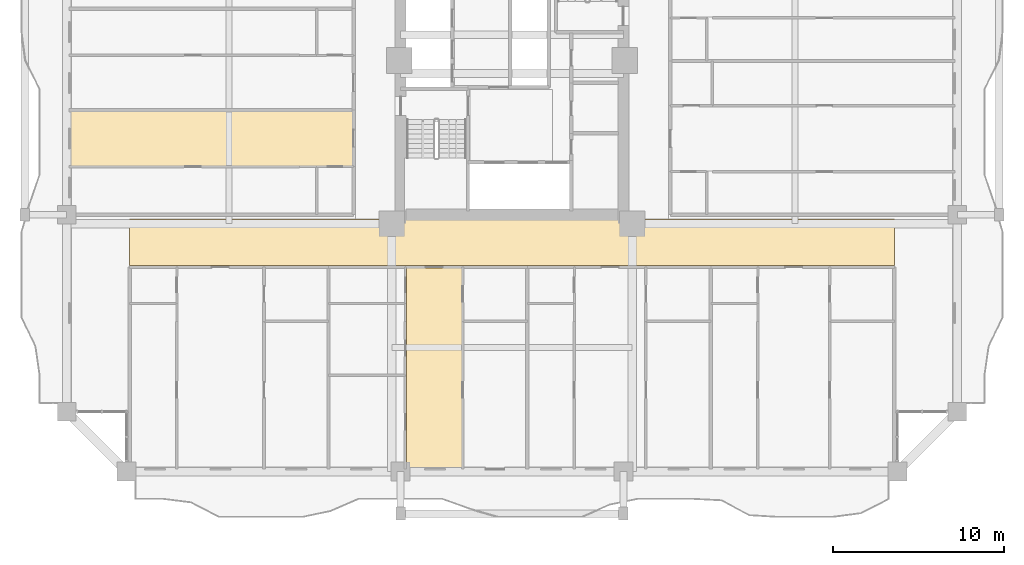
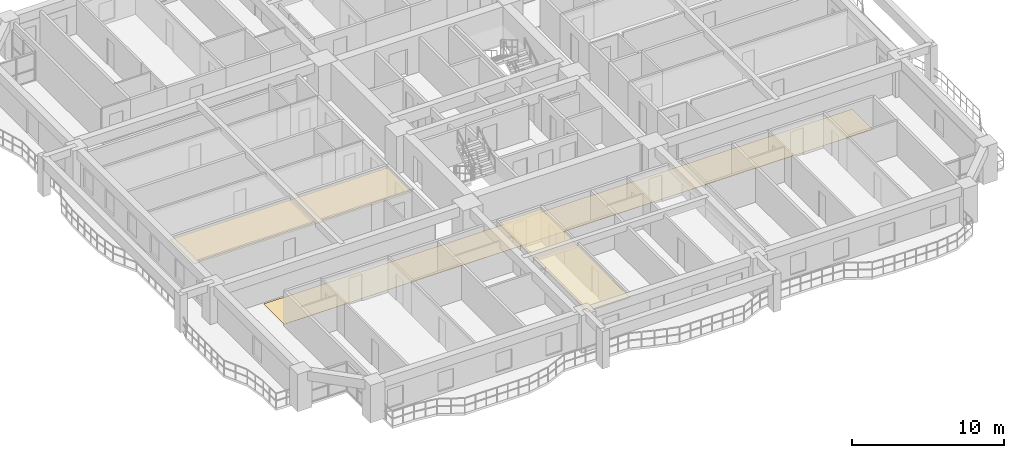
# One storey, part 23 of 27: 3 coverings.
"""IFC4 building model written with IfcOpenShell, lengths in metres."""

from ifc_helpers import new_model, si_unit, direction, frame, origin, place, context, subcontext, project, spatial, polyline, outline, extrude, material, layer, layer_set, type_object, element, save


model = new_model("IFC4")

# Units and contexts
model_context = context("Model", 3, precision=1e-05, world=origin(), true_north=direction((0.0, 1.0)))
body_context = subcontext(model_context, "Body", "Model", "MODEL_VIEW")
ifc_project = project(units=[si_unit("LENGTHUNIT", "METRE"), si_unit("AREAUNIT", "SQUARE_METRE"), si_unit("VOLUMEUNIT", "CUBIC_METRE"), si_unit("PLANEANGLEUNIT", "RADIAN"), si_unit("MASSUNIT", "GRAM", prefix="KILO")], contexts=[model_context])

# Site, building, storey
site_placement = place(None, origin())
site = spatial("IfcSite", under=ifc_project, at=site_placement, CompositionType="ELEMENT")
building_placement = place(site_placement, origin())
building = spatial("IfcBuilding", under=site, at=building_placement, Name="Saelheon Loggia Tower", CompositionType="ELEMENT")
storey_placement = place(building_placement, frame((0.0, 0.0, 34.39990234375)))
storey = spatial("IfcBuildingStorey", under=building, at=storey_placement, Name="L10", CompositionType="ELEMENT", Elevation=34.39990234375)

# Coverings
ifc_material_1 = material(Name="Mineral-Fibre Acoustic Ceiling Board", Category="gypsum")
ifc_layer_1 = layer(ifc_material_1, 0.02490234375)
ifc_layer_set_1 = layer_set([ifc_layer_1], Name="Mineral-Fibre Acoustic Ceiling Board")
covering_type_1 = type_object("IfcCoveringType", Name="Cov_Ceiling_Acoustic", PredefinedType="CEILING", material=ifc_layer_set_1)
covering_1_placement = place(storey_placement, frame((0.0, 0.0, 2.53515625)))
element("IfcCovering", 1, at=covering_1_placement, inside=storey, type_object=covering_type_1, Name="L10 Acoustic Suspended Ceiling", PredefinedType="CEILING", context=body_context, shape_type="SweptSolid", body=[
    extrude(outline(polyline([(31.830078125, 3.199951171875), (35.076904296875, 3.199951171875), (35.076904296875, 14.89990234375), (31.830078125, 14.89990234375), (31.830078125, 3.199951171875)])), origin(), (0.0, 0.0, 1.0), 0.02490234375),
])
covering_2_placement = place(storey_placement, frame((0.0, 0.0, 2.53515625)))
element("IfcCovering", 2, at=covering_2_placement, inside=storey, type_object=covering_type_1, Name="L10 Acoustic Suspended Ceiling", PredefinedType="CEILING", context=body_context, shape_type="SweptSolid", body=[
    extrude(outline(polyline([(12.199951171875, 20.857421875), (28.699951171875, 20.857421875), (28.699951171875, 24.052978515625), (12.199951171875, 24.052978515625), (12.199951171875, 20.857421875)])), origin(), (0.0, 0.0, 1.0), 0.02490234375),
])
ifc_material_2 = material(Name="Vitrified Porcelain Floor Tile", Category="ceramic")
ifc_layer_2 = layer(ifc_material_2, 0.02001953125)
ifc_layer_set_2 = layer_set([ifc_layer_2], Name="Vitrified Porcelain Floor Tile")
covering_type_2 = type_object("IfcCoveringType", Name="Cov_Floor_Porcelain", PredefinedType="FLOORING", material=ifc_layer_set_2)
covering_3_placement = place(storey_placement, origin())
element("IfcCovering", 3, at=covering_3_placement, inside=storey, type_object=covering_type_2, Name="L10 Corridor Porcelain Flooring", PredefinedType="FLOORING", context=body_context, shape_type="SweptSolid", body=[
    extrude(outline(polyline([(15.679931640625, 15.050048828125), (60.320068359375, 15.050048828125), (60.320068359375, 17.75), (15.679931640625, 17.75), (15.679931640625, 15.050048828125)])), origin(), (0.0, 0.0, 1.0), 0.02001953125),
])

save(model, "model.ifc")
